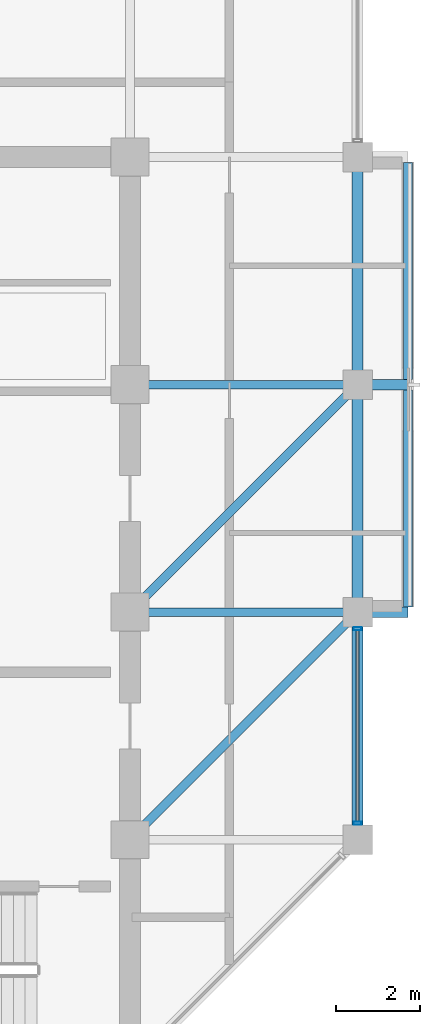
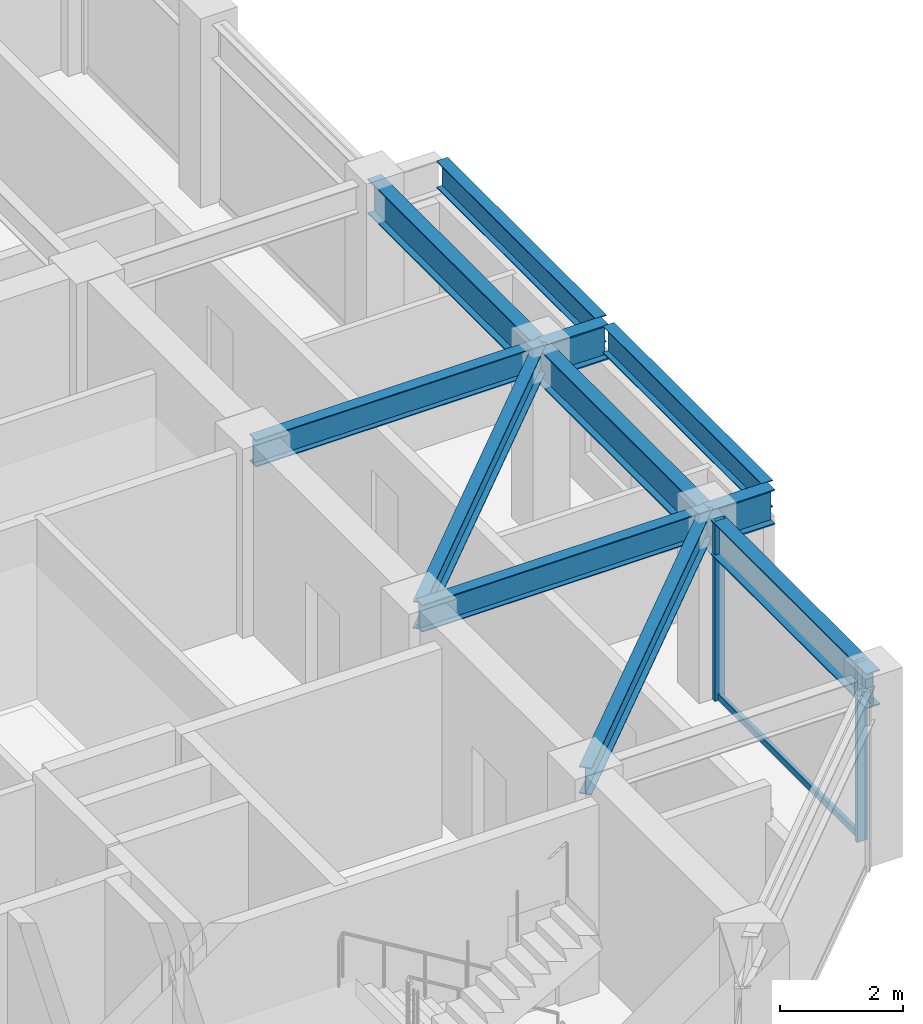
# One storey, part 11 of 29: 11 beams, 3 members, 1 element without a shape of its own.
"""IFC4 building model written with IfcOpenShell, lengths in metres."""

from ifc_helpers import new_model, si_unit, direction, frame, origin, origin_2d, place, context, subcontext, project, spatial, hollow_rectangle, i_section, extrude, material, layer, layer_set, material_profile, profile_set, type_object, element, aggregate, save


model = new_model("IFC4")

# Units and contexts
model_context = context("Model", 3, precision=1e-05, world=origin(), true_north=direction((0.0, 1.0)))
body_context = subcontext(model_context, "Body", "Model", "MODEL_VIEW")
ifc_project = project(units=[si_unit("LENGTHUNIT", "METRE"), si_unit("AREAUNIT", "SQUARE_METRE"), si_unit("VOLUMEUNIT", "CUBIC_METRE"), si_unit("PLANEANGLEUNIT", "RADIAN"), si_unit("MASSUNIT", "GRAM", prefix="KILO")], contexts=[model_context])

# Site, building, storey
site_placement = place(None, origin())
site = spatial("IfcSite", under=ifc_project, at=site_placement, CompositionType="ELEMENT")
building_placement = place(site_placement, origin())
building = spatial("IfcBuilding", under=site, at=building_placement, Name="Surkhivell Harbour Commons", CompositionType="ELEMENT")
storey_placement = place(building_placement, frame((0.0, 0.0, 277.5)))
storey = spatial("IfcBuildingStorey", under=building, at=storey_placement, Name="L72", CompositionType="ELEMENT", Elevation=277.5)

# Beams
ifc_material_1 = material(Name="Steel S460", Category="steel")
ifc_material_profile_1 = material_profile(ifc_material_1, i_section(OverallWidth=0.256103515625, OverallDepth=0.693115234375, WebThickness=0.014404296875, FlangeThickness=0.023681640625, at=origin_2d()), Name="UB686x254x170")
ifc_profile_set_1 = profile_set([ifc_material_profile_1], Name="Steel S460")
beam_type_1 = type_object("IfcBeamType", Name="BM-CNT-686", PredefinedType="BEAM", material=ifc_profile_set_1)
for number, where, z_axis, x_axis, name in (
    (1, (16.199951171875, 0.0, 3.223388671875), (1.0, 0.0, 0.0), (0.0, 1.0, 0.0), "L72 Box Cantilever Outrigger (16.2,0.0)"),
    (2, (16.199951171875, 5.39990234375, 3.223388671875), (1.0, 0.0, 0.0), (0.0, 1.0, 0.0), "L72 Box Cantilever Outrigger (16.2,5.4)"),
):
    element("IfcBeam", number, at=place(storey_placement, frame(where, z_axis=z_axis, x_axis=x_axis)), inside=storey, type_object=beam_type_1, Name=name, PredefinedType="BEAM", context=body_context, shape_type="SweptSolid", body=[
        extrude(i_section(OverallWidth=0.256103515625, OverallDepth=0.693115234375, WebThickness=0.014404296875, FlangeThickness=0.023681640625, at=origin_2d()), origin(), (0.0, 0.0, 1.0), 1.199951171875),
    ])
ifc_material_2 = material(Name="Steel S355", Category="steel")
ifc_material_profile_2 = material_profile(ifc_material_2, i_section(OverallWidth=0.2099609375, OverallDepth=0.537109375, WebThickness=0.0107421875, FlangeThickness=0.017333984375, at=origin_2d()), Name="UB533x210x101")
ifc_profile_set_2 = profile_set([ifc_material_profile_2], Name="Steel S355")
beam_type_2 = type_object("IfcBeamType", Name="BM-GRD-533B", PredefinedType="BEAM", material=ifc_profile_set_2)
beam_1_placement = place(storey_placement, frame((10.800048828125, -5.39990234375, 3.301513671875), z_axis=(0.707106781187, 0.707106781187, 0.0), x_axis=(-0.707106781187, 0.707106781187, 0.0)))
element("IfcBeam", 3, at=beam_1_placement, inside=storey, type_object=beam_type_2, Name="L72 Floor Girder (10.8,-5.4)", PredefinedType="BEAM", context=body_context, shape_type="SweptSolid", body=[
    extrude(i_section(OverallWidth=0.2099609375, OverallDepth=0.537109375, WebThickness=0.0107421875, FlangeThickness=0.017333984375, at=origin_2d()), origin(), (0.0, 0.0, 1.0), 7.63671875),
])
beam_2_placement = place(storey_placement, frame((10.800048828125, 0.0, 3.301513671875), z_axis=(1.0, 0.0, 0.0), x_axis=(0.0, 1.0, 0.0)))
element("IfcBeam", 4, at=beam_2_placement, inside=storey, type_object=beam_type_2, Name="L72 Floor Girder (10.8,0.0)", PredefinedType="BEAM", context=body_context, shape_type="SweptSolid", body=[
    extrude(i_section(OverallWidth=0.2099609375, OverallDepth=0.537109375, WebThickness=0.0107421875, FlangeThickness=0.017333984375, at=origin_2d()), origin(), (0.0, 0.0, 1.0), 5.39990234375),
])
beam_3_placement = place(storey_placement, frame((10.800048828125, 0.0, 3.301513671875), z_axis=(0.707106781187, 0.707106781187, 0.0), x_axis=(-0.707106781187, 0.707106781187, 0.0)))
element("IfcBeam", 5, at=beam_3_placement, inside=storey, type_object=beam_type_2, Name="L72 Floor Girder (10.8,0.0)", PredefinedType="BEAM", context=body_context, shape_type="SweptSolid", body=[
    extrude(i_section(OverallWidth=0.2099609375, OverallDepth=0.537109375, WebThickness=0.0107421875, FlangeThickness=0.017333984375, at=origin_2d()), origin(), (0.0, 0.0, 1.0), 7.63671875),
])
beam_4_placement = place(storey_placement, frame((10.800048828125, 5.39990234375, 3.301513671875), z_axis=(1.0, 0.0, 0.0), x_axis=(0.0, 1.0, 0.0)))
element("IfcBeam", 6, at=beam_4_placement, inside=storey, type_object=beam_type_2, Name="L72 Floor Girder (10.8,5.4)", PredefinedType="BEAM", context=body_context, shape_type="SweptSolid", body=[
    extrude(i_section(OverallWidth=0.2099609375, OverallDepth=0.537109375, WebThickness=0.0107421875, FlangeThickness=0.017333984375, at=origin_2d()), origin(), (0.0, 0.0, 1.0), 5.39990234375),
])
for number, where, z_axis, x_axis, name in (
    (7, (17.39990234375, 0.1220703125, 3.301513671875), (0.0, 1.0, 0.0), (-1.0, 0.0, 0.0), "L72 Box Rim Spandrel (17.4,0.0)"),
    (8, (17.39990234375, 5.52197265625, 3.301513671875), (0.0, 1.0, 0.0), (-1.0, 0.0, 0.0), "L72 Box Rim Spandrel (17.4,5.4)"),
):
    element("IfcBeam", number, at=place(storey_placement, frame(where, z_axis=z_axis, x_axis=x_axis)), inside=storey, type_object=beam_type_2, Name=name, PredefinedType="BEAM", context=body_context, shape_type="SweptSolid", body=[
        extrude(i_section(OverallWidth=0.2099609375, OverallDepth=0.537109375, WebThickness=0.0107421875, FlangeThickness=0.017333984375, at=origin_2d()), origin(), (0.0, 0.0, 1.0), 5.156005859375),
    ])
ifc_material_profile_3 = material_profile(ifc_material_2, i_section(OverallWidth=0.256103515625, OverallDepth=0.693115234375, WebThickness=0.014404296875, FlangeThickness=0.023681640625, at=origin_2d()), Name="UB686x254x170")
ifc_profile_set_3 = profile_set([ifc_material_profile_3], Name="Steel S355")
beam_type_3 = type_object("IfcBeamType", Name="BM-SPN-686", PredefinedType="SPANDREL", material=ifc_profile_set_3)
for number, where, z_axis, x_axis, name in (
    (9, (16.199951171875, -5.39990234375, 3.223388671875), (0.0, 1.0, 0.0), (-1.0, 0.0, 0.0), "L72 Tube Spandrel (16.2,-5.4)"),
    (10, (16.199951171875, 0.0, 3.223388671875), (0.0, 1.0, 0.0), (-1.0, 0.0, 0.0), "L72 Tube Spandrel (16.2,0.0)"),
):
    element("IfcBeam", number, at=place(storey_placement, frame(where, z_axis=z_axis, x_axis=x_axis)), inside=storey, type_object=beam_type_3, Name=name, PredefinedType="SPANDREL", context=body_context, shape_type="SweptSolid", body=[
        extrude(i_section(OverallWidth=0.256103515625, OverallDepth=0.693115234375, WebThickness=0.014404296875, FlangeThickness=0.023681640625, at=origin_2d()), origin(), (0.0, 0.0, 1.0), 5.39990234375),
    ])
beam_5_placement = place(storey_placement, frame((16.199951171875, 5.39990234375, 3.223388671875), z_axis=(0.0, 1.0, 0.0), x_axis=(-1.0, 0.0, 0.0)))
element("IfcBeam", 11, at=beam_5_placement, inside=storey, type_object=beam_type_3, Name="L72 Tube Spandrel (16.2,5.4)", PredefinedType="SPANDREL", context=body_context, shape_type="SweptSolid", body=[
    extrude(i_section(OverallWidth=0.256103515625, OverallDepth=0.693115234375, WebThickness=0.014404296875, FlangeThickness=0.023681640625, at=origin_2d()), origin(), (0.0, 0.0, 1.0), 5.400146484375),
])

# Curtain wall, members
ifc_material_3 = material(Name="Anodised pale-metal aluminium and insulated glazing", Category="aluminium")
ifc_layer = layer(ifc_material_3, 0.175048828125)
ifc_layer_set = layer_set([ifc_layer], Name="Anodised pale-metal aluminium and insulated glazing")
curtain_wall_type = type_object("IfcCurtainWallType", Name="CW-SYS-Z4", PredefinedType="NOTDEFINED", material=ifc_layer_set)
curtain_wall_placement = place(storey_placement, origin())
curtain_wall = element("IfcCurtainWall", 12, at=curtain_wall_placement, inside=storey, type_object=curtain_wall_type, Name="L72 Curtain Wall CW-L72-E02R1", PredefinedType="NOTDEFINED")
ifc_material_4 = material(Name="Anodised pale-metal aluminium alloy 6063-T6", Category="aluminium")
ifc_material_profile_4 = material_profile(ifc_material_4, hollow_rectangle(XDim=0.074951171875, YDim=0.18994140625, WallThickness=0.00390625, at=origin_2d()), Name="ALU-MULL-75x190")
ifc_profile_set_4 = profile_set([ifc_material_profile_4], Name="Anodised pale-metal aluminium alloy 6063-T6")
member_type_1 = type_object("IfcMemberType", Name="CWM-190", PredefinedType="MULLION", material=ifc_profile_set_4)
member_1_placement = place(storey_placement, frame((16.199951171875, -5.010498046875, 0.0), z_axis=(0.0, 0.0, 1.0), x_axis=(0.0, 1.0, 0.0)))
member_1 = element("IfcMember", 13, at=member_1_placement, type_object=member_type_1, Name="CW-Z4 mullion 1", PredefinedType="MULLION", context=body_context, shape_type="SweptSolid", body=[
    extrude(hollow_rectangle(XDim=0.074951171875, YDim=0.18994140625, WallThickness=0.00390625, at=origin_2d()), origin(), (0.0, 0.0, 1.0), 3.570068359375),
])
member_2_placement = place(storey_placement, frame((16.199951171875, -0.389404296875, 0.0), z_axis=(0.0, 0.0, 1.0), x_axis=(0.0, 1.0, 0.0)))
member_2 = element("IfcMember", 14, at=member_2_placement, type_object=member_type_1, Name="CW-Z4 mullion 2", PredefinedType="MULLION", context=body_context, shape_type="SweptSolid", body=[
    extrude(hollow_rectangle(XDim=0.074951171875, YDim=0.18994140625, WallThickness=0.00390625, at=origin_2d()), origin(), (0.0, 0.0, 1.0), 3.570068359375),
])
ifc_material_5 = material(Name="Champagne anodised aluminium alloy 6063-T6", Category="aluminium")
ifc_material_profile_5 = material_profile(ifc_material_5, hollow_rectangle(XDim=0.070068359375, YDim=0.1298828125, WallThickness=0.00341796875, at=origin_2d()), Name="ALU-TRAN-70x130")
ifc_profile_set_5 = profile_set([ifc_material_profile_5], Name="Champagne anodised aluminium alloy 6063-T6")
member_type_2 = type_object("IfcMemberType", Name="CWT-130", PredefinedType="USERDEFINED", material=ifc_profile_set_5)
member_3_placement = place(storey_placement, frame((16.199951171875, -4.972900390625, 0.06494140625), z_axis=(0.0, 1.0, 0.0), x_axis=(-1.0, 0.0, 0.0)))
member_3 = element("IfcMember", 15, at=member_3_placement, type_object=member_type_2, Name="CW-Z4 transom 1.1", ObjectType="TRANSOM", PredefinedType="USERDEFINED", context=body_context, shape_type="SweptSolid", body=[
    extrude(hollow_rectangle(XDim=0.070068359375, YDim=0.1298828125, WallThickness=0.00341796875, at=origin_2d()), origin(), (0.0, 0.0, 1.0), 4.5458984375),
])
aggregate(curtain_wall, [member_1, member_2, member_3])

save(model, "model.ifc")
